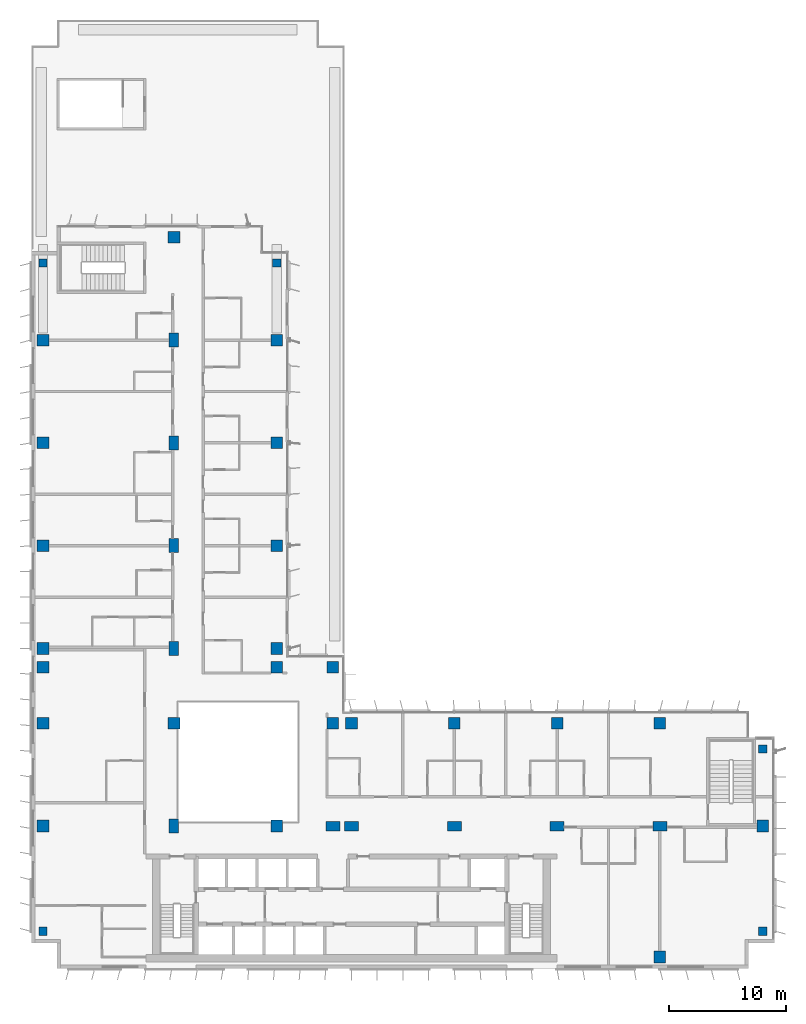
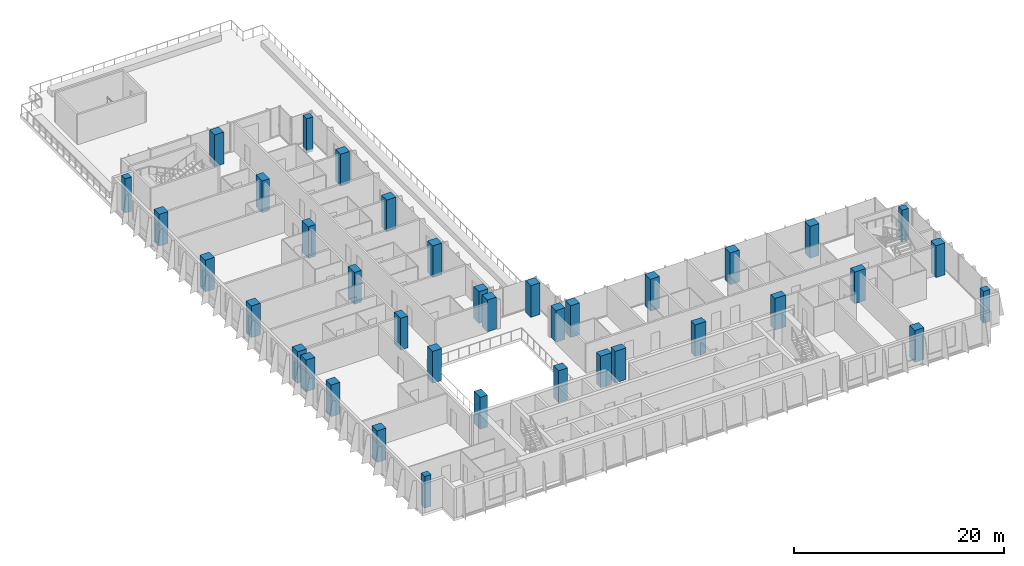
# One storey, part 1 of 22: 38 columns.
"""IFC4 building model written with IfcOpenShell, lengths in metres."""

from ifc_helpers import new_model, si_unit, direction, frame, origin, origin_2d, place, context, subcontext, project, spatial, rectangle, extrude, material, material_profile, profile_set, type_object, element, save


model = new_model("IFC4")

# Units and contexts
model_context = context("Model", 3, precision=1e-05, world=origin(), true_north=direction((0.0, 1.0)))
body_context = subcontext(model_context, "Body", "Model", "MODEL_VIEW")
ifc_project = project(units=[si_unit("LENGTHUNIT", "METRE"), si_unit("AREAUNIT", "SQUARE_METRE"), si_unit("VOLUMEUNIT", "CUBIC_METRE"), si_unit("PLANEANGLEUNIT", "RADIAN"), si_unit("MASSUNIT", "GRAM", prefix="KILO")], contexts=[model_context])

# Site, building, storey
site_placement = place(None, origin())
site = spatial("IfcSite", under=ifc_project, at=site_placement, CompositionType="ELEMENT")
building_placement = place(site_placement, origin())
building = spatial("IfcBuilding", under=site, at=building_placement, Name="Kemantara Hotel Tower", CompositionType="ELEMENT")
storey_placement = place(building_placement, frame((0.0, 0.0, 153.10009765625)))
storey = spatial("IfcBuildingStorey", under=building, at=storey_placement, Name="L37", CompositionType="ELEMENT", Elevation=153.10009765625)

# Columns
ifc_material = material(Name="Concrete fc 60 MPa", Category="concrete")
ifc_material_profile_1 = material_profile(ifc_material, rectangle(XDim=1.0, YDim=1.0, at=origin_2d()), Name="RC 1000X1000")
ifc_profile_set_1 = profile_set([ifc_material_profile_1], Name="Concrete fc 60 MPa")
column_type_1 = type_object("IfcColumnType", Name="RC COLUMN 1000X1000 FC60", PredefinedType="COLUMN", material=ifc_profile_set_1)
for number, where, z_axis, x_axis, name in (
    (1, (1.0, 12.199951171875, 0.0), (0.0, 0.0, 1.0), (1.0, 0.0, 0.0), "COLUMN 1/BA L37"),
    (2, (1.0, 21.0, 0.0), (0.0, 0.0, 1.0), (1.0, 0.0, 0.0), "COLUMN 1/C L37"),
    (3, (1.0, 25.800048828125, 0.0), (0.0, 0.0, 1.0), (1.0, 0.0, 0.0), "COLUMN 1/CA L37"),
    (4, (1.0, 27.39990234375, 0.0), (0.0, 0.0, 1.0), (1.0, 0.0, 0.0), "COLUMN 1/D L37"),
    (5, (1.0, 36.199951171875, 0.0), (0.0, 0.0, 1.0), (1.0, 0.0, 0.0), "COLUMN 1/E L37"),
    (6, (1.0, 45.0, 0.0), (0.0, 0.0, 1.0), (1.0, 0.0, 0.0), "COLUMN 1/F L37"),
    (7, (1.0, 53.800048828125, 0.0), (0.0, 0.0, 1.0), (1.0, 0.0, 0.0), "COLUMN 1/G L37"),
    (8, (12.199951171875, 21.0, 0.0), (0.0, 0.0, 1.0), (1.0, 0.0, 0.0), "COLUMN 2A/C L37"),
    (9, (12.199951171875, 62.60009765625, 0.0), (0.0, 0.0, 1.0), (1.0, 0.0, 0.0), "COLUMN 2A/H L37"),
    (10, (21.0, 12.199951171875, 0.0), (0.0, 0.0, 1.0), (1.0, 0.0, 0.0), "COLUMN 3/BA L37"),
    (11, (21.0, 25.800048828125, 0.0), (0.0, 0.0, 1.0), (1.0, 0.0, 0.0), "COLUMN 3/CA L37"),
    (12, (21.0, 27.39990234375, 0.0), (0.0, 0.0, 1.0), (1.0, 0.0, 0.0), "COLUMN 3/D L37"),
    (13, (21.0, 36.199951171875, 0.0), (0.0, 0.0, 1.0), (1.0, 0.0, 0.0), "COLUMN 3/E L37"),
    (14, (21.0, 45.0, 0.0), (0.0, 0.0, 1.0), (1.0, 0.0, 0.0), "COLUMN 3/F L37"),
    (15, (21.0, 53.800048828125, 0.0), (0.0, 0.0, 1.0), (1.0, 0.0, 0.0), "COLUMN 3/G L37"),
    (16, (25.800048828125, 21.0, 0.0), (0.0, 0.0, 1.0), (1.0, 0.0, 0.0), "COLUMN 3A/C L37"),
    (17, (25.800048828125, 25.800048828125, 0.0), (0.0, 0.0, 1.0), (1.0, 0.0, 0.0), "COLUMN 3A/CA L37"),
    (18, (27.39990234375, 21.0, 0.0), (0.0, 0.0, 1.0), (1.0, 0.0, 0.0), "COLUMN 4/C L37"),
    (19, (36.199951171875, 21.0, 0.0), (0.0, 0.0, 1.0), (1.0, 0.0, 0.0), "COLUMN 5/C L37"),
    (20, (45.0, 21.0, 0.0), (0.0, 0.0, 1.0), (1.0, 0.0, 0.0), "COLUMN 6/C L37"),
    (21, (53.800048828125, 1.0, 0.0), (0.0, 0.0, 1.0), (1.0, 0.0, 0.0), "COLUMN 7/A L37"),
    (22, (53.800048828125, 21.0, 0.0), (0.0, 0.0, 1.0), (1.0, 0.0, 0.0), "COLUMN 7/C L37"),
    (23, (62.60009765625, 12.199951171875, 0.0), (0.0, 0.0, 1.0), (1.0, 0.0, 0.0), "COLUMN 8/BA L37"),
):
    element("IfcColumn", number, at=place(storey_placement, frame(where, z_axis=z_axis, x_axis=x_axis)), inside=storey, type_object=column_type_1, Name=name, PredefinedType="COLUMN", context=body_context, shape_type="SweptSolid", body=[
        extrude(rectangle(XDim=1.0, YDim=1.0, at=origin_2d()), origin(), (0.0, 0.0, 1.0), 3.699951171875),
    ])
ifc_material_profile_2 = material_profile(ifc_material, rectangle(XDim=1.199951171875, YDim=0.800048828125, at=origin_2d()), Name="RC 1200X800")
ifc_profile_set_2 = profile_set([ifc_material_profile_2], Name="Concrete fc 60 MPa")
column_type_2 = type_object("IfcColumnType", Name="RC COLUMN 1200X800 FC60", PredefinedType="COLUMN", material=ifc_profile_set_2)
for number, where, z_axis, x_axis, name in (
    (24, (12.199951171875, 12.199951171875, 0.0), (0.0, 0.0, 1.0), (0.0, 1.0, 0.0), "COLUMN 2A/BA L37"),
    (25, (12.199951171875, 27.39990234375, 0.0), (0.0, 0.0, 1.0), (0.0, 1.0, 0.0), "COLUMN 2A/D L37"),
    (26, (12.199951171875, 36.199951171875, 0.0), (0.0, 0.0, 1.0), (0.0, 1.0, 0.0), "COLUMN 2A/E L37"),
    (27, (12.199951171875, 45.0, 0.0), (0.0, 0.0, 1.0), (0.0, 1.0, 0.0), "COLUMN 2A/F L37"),
    (28, (12.199951171875, 53.800048828125, 0.0), (0.0, 0.0, 1.0), (0.0, 1.0, 0.0), "COLUMN 2A/G L37"),
    (29, (25.800048828125, 12.199951171875, 0.0), (0.0, 0.0, 1.0), (1.0, 0.0, 0.0), "COLUMN 3A/BA L37"),
    (30, (27.39990234375, 12.199951171875, 0.0), (0.0, 0.0, 1.0), (1.0, 0.0, 0.0), "COLUMN 4/BA L37"),
    (31, (36.199951171875, 12.199951171875, 0.0), (0.0, 0.0, 1.0), (1.0, 0.0, 0.0), "COLUMN 5/BA L37"),
    (32, (45.0, 12.199951171875, 0.0), (0.0, 0.0, 1.0), (1.0, 0.0, 0.0), "COLUMN 6/BA L37"),
    (33, (53.800048828125, 12.199951171875, 0.0), (0.0, 0.0, 1.0), (1.0, 0.0, 0.0), "COLUMN 7/BA L37"),
):
    element("IfcColumn", number, at=place(storey_placement, frame(where, z_axis=z_axis, x_axis=x_axis)), inside=storey, type_object=column_type_2, Name=name, PredefinedType="COLUMN", context=body_context, shape_type="SweptSolid", body=[
        extrude(rectangle(XDim=1.199951171875, YDim=0.800048828125, at=origin_2d()), origin(), (0.0, 0.0, 1.0), 3.699951171875),
    ])
ifc_material_profile_3 = material_profile(ifc_material, rectangle(XDim=0.699951171875, YDim=0.699951171875, at=origin_2d()), Name="RC 700X700")
ifc_profile_set_3 = profile_set([ifc_material_profile_3], Name="Concrete fc 60 MPa")
column_type_3 = type_object("IfcColumnType", Name="RC COLUMN 700X700 FC60", PredefinedType="COLUMN", material=ifc_profile_set_3)
column_placement = place(storey_placement, frame((1.0, 3.199951171875, 0.0), z_axis=(0.0, 0.0, 1.0), x_axis=(1.0, 0.0, 0.0)))
element("IfcColumn", 34, at=column_placement, inside=storey, type_object=column_type_3, Name="COLUMN notch corner L37", PredefinedType="COLUMN", context=body_context, shape_type="SweptSolid", body=[
    extrude(rectangle(XDim=0.699951171875, YDim=0.699951171875, at=origin_2d()), origin(), (0.0, 0.0, 1.0), 3.699951171875),
])
for number, where, z_axis, x_axis, name in (
    (35, (1.0, 60.39990234375, -0.300048828125), (0.0, 0.0, 1.0), (1.0, 0.0, 0.0), "Transfer column TC3 L37"),
    (36, (21.0, 60.39990234375, -0.300048828125), (0.0, 0.0, 1.0), (1.0, 0.0, 0.0), "Transfer column TC4 L37"),
):
    element("IfcColumn", number, at=place(storey_placement, frame(where, z_axis=z_axis, x_axis=x_axis)), inside=storey, type_object=column_type_3, Name=name, PredefinedType="COLUMN", context=body_context, shape_type="SweptSolid", body=[
        extrude(rectangle(XDim=0.699951171875, YDim=0.699951171875, at=origin_2d()), origin(), (0.0, 0.0, 1.0), 4.0),
    ])
for number, where, z_axis, x_axis, name in (
    (37, (62.60009765625, 3.199951171875, 0.0), (0.0, 0.0, 1.0), (1.0, 0.0, 0.0), "COLUMN notch corner L37"),
    (38, (62.60009765625, 18.800048828125, 0.0), (0.0, 0.0, 1.0), (1.0, 0.0, 0.0), "COLUMN notch corner L37"),
):
    element("IfcColumn", number, at=place(storey_placement, frame(where, z_axis=z_axis, x_axis=x_axis)), inside=storey, type_object=column_type_3, Name=name, PredefinedType="COLUMN", context=body_context, shape_type="SweptSolid", body=[
        extrude(rectangle(XDim=0.699951171875, YDim=0.699951171875, at=origin_2d()), origin(), (0.0, 0.0, 1.0), 3.699951171875),
    ])

save(model, "model.ifc")
